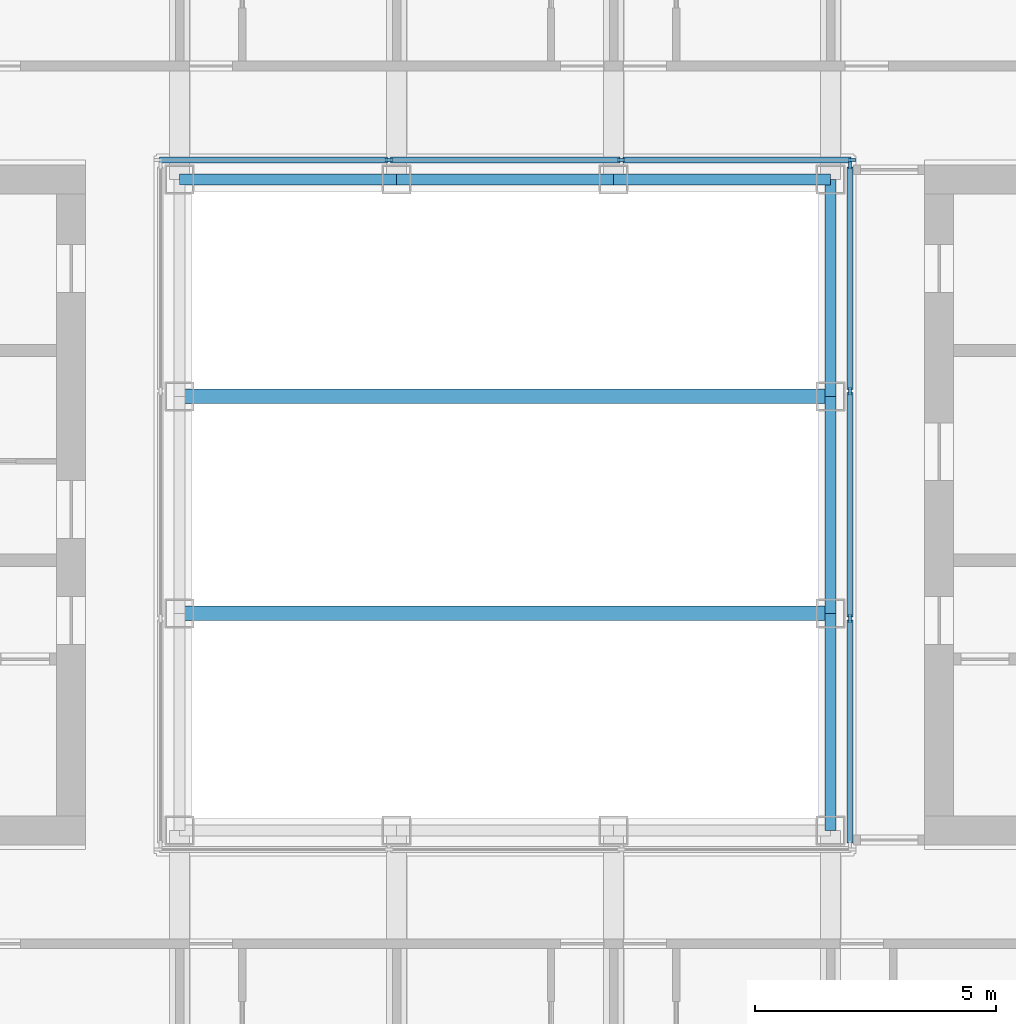
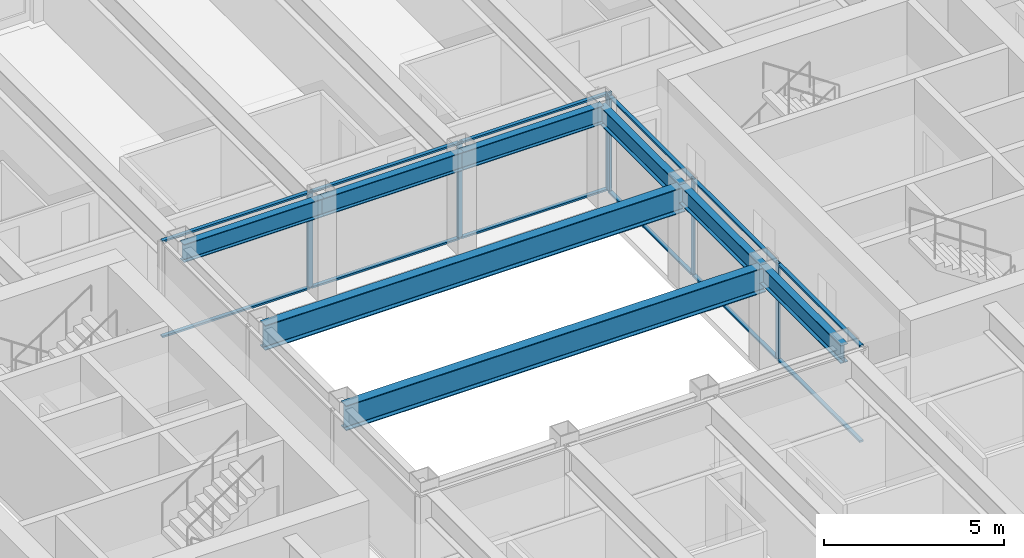
# One storey, part 5 of 18: 18 members, 8 beams, 2 elements without a shape of their own.
"""IFC4 building model written with IfcOpenShell, lengths in metres."""

from ifc_helpers import new_model, si_unit, direction, frame, origin, origin_2d, place, context, subcontext, project, spatial, rectangle, i_section, extrude, material, material_profile, profile_set, type_object, element, aggregate, save


model = new_model("IFC4")

# Units and contexts
model_context = context("Model", 3, precision=1e-05, world=origin(), true_north=direction((0.0, 1.0)))
body_context = subcontext(model_context, "Body", "Model", "MODEL_VIEW")
ifc_project = project(units=[si_unit("LENGTHUNIT", "METRE"), si_unit("AREAUNIT", "SQUARE_METRE"), si_unit("VOLUMEUNIT", "CUBIC_METRE"), si_unit("PLANEANGLEUNIT", "RADIAN"), si_unit("MASSUNIT", "GRAM", prefix="KILO")], contexts=[model_context])

# Site, building, storey
site_placement = place(None, origin())
site = spatial("IfcSite", under=ifc_project, at=site_placement, CompositionType="ELEMENT")
building_placement = place(site_placement, origin())
building = spatial("IfcBuilding", under=site, at=building_placement, Name="Msasa Ring Tower", CompositionType="ELEMENT")
storey_placement = place(building_placement, frame((0.0, 0.0, 186.800048828125)))
storey = spatial("IfcBuildingStorey", under=building, at=storey_placement, Name="L49", CompositionType="ELEMENT", Elevation=186.800048828125)

# Beams
ifc_material_1 = material(Name="Steel S355", Category="steel")
ifc_material_profile_1 = material_profile(ifc_material_1, i_section(OverallWidth=0.293701171875, OverallDepth=0.850830078125, WebThickness=0.01611328125, FlangeThickness=0.02685546875, FilletRadius=0.017822265625, at=origin_2d()), Name="UB 838x292x226")
ifc_profile_set_1 = profile_set([ifc_material_profile_1], Name="Steel S355")
beam_type_1 = type_object("IfcBeamType", Name="BG1 UB 838x292x226", PredefinedType="BEAM", material=ifc_profile_set_1)
for number, where, z_axis, x_axis, name in (
    (1, (-6.75, -2.25, 2.87451171875), (1.0, 0.0, 0.0), (0.0, 1.0, 0.0), "Well bridge girder -2.25 under L50"),
    (2, (-6.75, 2.25, 2.87451171875), (1.0, 0.0, 0.0), (0.0, 1.0, 0.0), "Well bridge girder +2.25 under L50"),
):
    element("IfcBeam", number, at=place(storey_placement, frame(where, z_axis=z_axis, x_axis=x_axis)), inside=storey, type_object=beam_type_1, Name=name, PredefinedType="BEAM", context=body_context, shape_type="SweptSolid", body=[
        extrude(i_section(OverallWidth=0.293701171875, OverallDepth=0.850830078125, WebThickness=0.01611328125, FlangeThickness=0.02685546875, FilletRadius=0.017822265625, at=origin_2d()), origin(), (0.0, 0.0, 1.0), 13.5),
    ])

# Curtain wall, members
ifc_material_2 = material(Name="Aluminium curtain wall with clear glass", Category="aluminium")
curtain_wall_type = type_object("IfcCurtainWallType", Name="CW-W LIGHT WELL CURTAIN WALL", PredefinedType="NOTDEFINED", material=ifc_material_2)
curtain_wall_1_placement = place(storey_placement, origin())
curtain_wall_1 = element("IfcCurtainWall", 3, at=curtain_wall_1_placement, inside=storey, type_object=curtain_wall_type, Name="Light well curtain wall N L49", PredefinedType="NOTDEFINED")
ifc_material_3 = material(Name="Aluminium mullion", Category="aluminium")
ifc_material_profile_2 = material_profile(ifc_material_3, rectangle(XDim=0.06005859375, YDim=0.159912109375, at=origin_2d()), Name="AL 60x160")
ifc_profile_set_2 = profile_set([ifc_material_profile_2], Name="Aluminium mullion")
member_type_1 = type_object("IfcMemberType", Name="CW-W MULLION 60x160", PredefinedType="MULLION", material=ifc_profile_set_2)
member_1_placement = place(storey_placement, frame((-2.409912109375, 7.14990234375, 0.0), z_axis=(0.0, 0.0, 1.0), x_axis=(0.0, 1.0, 0.0)))
member_1 = element("IfcMember", 4, at=member_1_placement, type_object=member_type_1, Name="CW-W mullion 2", PredefinedType="MULLION", context=body_context, shape_type="SweptSolid", body=[
    extrude(rectangle(XDim=0.06005859375, YDim=0.159912109375, at=origin_2d()), origin(), (0.0, 0.0, 1.0), 3.300048828125),
])
member_2_placement = place(storey_placement, frame((2.409912109375, 7.14990234375, 0.0), z_axis=(0.0, 0.0, 1.0), x_axis=(0.0, 1.0, 0.0)))
member_2 = element("IfcMember", 5, at=member_2_placement, type_object=member_type_1, Name="CW-W mullion 3", PredefinedType="MULLION", context=body_context, shape_type="SweptSolid", body=[
    extrude(rectangle(XDim=0.06005859375, YDim=0.159912109375, at=origin_2d()), origin(), (0.0, 0.0, 1.0), 3.300048828125),
])
member_3_placement = place(storey_placement, frame((7.199951171875, 7.14990234375, 0.0), z_axis=(0.0, 0.0, 1.0), x_axis=(0.0, 1.0, 0.0)))
member_3 = element("IfcMember", 6, at=member_3_placement, type_object=member_type_1, Name="CW-W mullion 4", PredefinedType="MULLION", context=body_context, shape_type="SweptSolid", body=[
    extrude(rectangle(XDim=0.06005859375, YDim=0.159912109375, at=origin_2d()), origin(), (0.0, 0.0, 1.0), 3.300048828125),
])

curtain_wall_2_placement = place(storey_placement, origin())
curtain_wall_2 = element("IfcCurtainWall", 7, at=curtain_wall_2_placement, inside=storey, type_object=curtain_wall_type, Name="Light well curtain wall E L49", PredefinedType="NOTDEFINED")
member_4_placement = place(storey_placement, frame((7.14990234375, -2.356689453125, 0.0), z_axis=(0.0, 0.0, 1.0), x_axis=(-1.0, 0.0, 0.0)))
member_4 = element("IfcMember", 8, at=member_4_placement, type_object=member_type_1, Name="CW-W mullion 2", PredefinedType="MULLION", context=body_context, shape_type="SweptSolid", body=[
    extrude(rectangle(XDim=0.06005859375, YDim=0.159912109375, at=origin_2d()), origin(), (0.0, 0.0, 1.0), 3.300048828125),
])
member_5_placement = place(storey_placement, frame((7.14990234375, 2.356689453125, 0.0), z_axis=(0.0, 0.0, 1.0), x_axis=(-1.0, 0.0, 0.0)))
member_5 = element("IfcMember", 9, at=member_5_placement, type_object=member_type_1, Name="CW-W mullion 3", PredefinedType="MULLION", context=body_context, shape_type="SweptSolid", body=[
    extrude(rectangle(XDim=0.06005859375, YDim=0.159912109375, at=origin_2d()), origin(), (0.0, 0.0, 1.0), 3.300048828125),
])
member_6_placement = place(storey_placement, frame((7.14990234375, 7.0400390625, 0.0), z_axis=(0.0, 0.0, 1.0), x_axis=(-1.0, 0.0, 0.0)))
member_6 = element("IfcMember", 10, at=member_6_placement, type_object=member_type_1, Name="CW-W mullion 4", PredefinedType="MULLION", context=body_context, shape_type="SweptSolid", body=[
    extrude(rectangle(XDim=0.06005859375, YDim=0.159912109375, at=origin_2d()), origin(), (0.0, 0.0, 1.0), 3.300048828125),
])

# Member
ifc_material_4 = material(Name="Aluminium transom", Category="aluminium")
ifc_material_profile_3 = material_profile(ifc_material_4, rectangle(XDim=0.1201171875, YDim=0.06005859375, at=origin_2d()), Name="AL 60x120")
ifc_profile_set_3 = profile_set([ifc_material_profile_3], Name="Aluminium transom")
member_type_2 = type_object("IfcMemberType", Name="CW-W TRANSOM 60x120", PredefinedType="USERDEFINED", material=ifc_profile_set_3)
member_7_placement = place(storey_placement, frame((-7.169921875, 7.14990234375, 0.030029296875), z_axis=(1.0, 0.0, 0.0), x_axis=(0.0, 1.0, 0.0)))
member_7 = element("IfcMember", 11, at=member_7_placement, type_object=member_type_2, Name="CW-W transom 1.1", ObjectType="TRANSOM", PredefinedType="USERDEFINED", context=body_context, shape_type="SweptSolid", body=[
    extrude(rectangle(XDim=0.1201171875, YDim=0.06005859375, at=origin_2d()), origin(), (0.0, 0.0, 1.0), 4.72998046875),
])

member_8_placement = place(storey_placement, frame((-7.169921875, 7.14990234375, 3.27001953125), z_axis=(1.0, 0.0, 0.0), x_axis=(0.0, 1.0, 0.0)))
member_8 = element("IfcMember", 12, at=member_8_placement, type_object=member_type_2, Name="CW-W transom 1.2", ObjectType="TRANSOM", PredefinedType="USERDEFINED", context=body_context, shape_type="SweptSolid", body=[
    extrude(rectangle(XDim=0.1201171875, YDim=0.06005859375, at=origin_2d()), origin(), (0.0, 0.0, 1.0), 4.72998046875),
])

member_9_placement = place(storey_placement, frame((-2.3798828125, 7.14990234375, 0.030029296875), z_axis=(1.0, 0.0, 0.0), x_axis=(0.0, 1.0, 0.0)))
member_9 = element("IfcMember", 13, at=member_9_placement, type_object=member_type_2, Name="CW-W transom 2.1", ObjectType="TRANSOM", PredefinedType="USERDEFINED", context=body_context, shape_type="SweptSolid", body=[
    extrude(rectangle(XDim=0.1201171875, YDim=0.06005859375, at=origin_2d()), origin(), (0.0, 0.0, 1.0), 4.759765625),
])

member_10_placement = place(storey_placement, frame((-2.3798828125, 7.14990234375, 3.27001953125), z_axis=(1.0, 0.0, 0.0), x_axis=(0.0, 1.0, 0.0)))
member_10 = element("IfcMember", 14, at=member_10_placement, type_object=member_type_2, Name="CW-W transom 2.2", ObjectType="TRANSOM", PredefinedType="USERDEFINED", context=body_context, shape_type="SweptSolid", body=[
    extrude(rectangle(XDim=0.1201171875, YDim=0.06005859375, at=origin_2d()), origin(), (0.0, 0.0, 1.0), 4.759765625),
])

member_11_placement = place(storey_placement, frame((2.43994140625, 7.14990234375, 0.030029296875), z_axis=(1.0, 0.0, 0.0), x_axis=(0.0, 1.0, 0.0)))
member_11 = element("IfcMember", 15, at=member_11_placement, type_object=member_type_2, Name="CW-W transom 3.1", ObjectType="TRANSOM", PredefinedType="USERDEFINED", context=body_context, shape_type="SweptSolid", body=[
    extrude(rectangle(XDim=0.1201171875, YDim=0.06005859375, at=origin_2d()), origin(), (0.0, 0.0, 1.0), 4.72998046875),
])

member_12_placement = place(storey_placement, frame((2.43994140625, 7.14990234375, 3.27001953125), z_axis=(1.0, 0.0, 0.0), x_axis=(0.0, 1.0, 0.0)))
member_12 = element("IfcMember", 16, at=member_12_placement, type_object=member_type_2, Name="CW-W transom 3.2", ObjectType="TRANSOM", PredefinedType="USERDEFINED", context=body_context, shape_type="SweptSolid", body=[
    extrude(rectangle(XDim=0.1201171875, YDim=0.06005859375, at=origin_2d()), origin(), (0.0, 0.0, 1.0), 4.72998046875),
])

aggregate(curtain_wall_1, [member_1, member_2, member_3, member_7, member_8, member_9, member_10, member_11, member_12])

member_13_placement = place(storey_placement, frame((7.14990234375, -7.010009765625, 0.030029296875), z_axis=(0.0, 1.0, 0.0), x_axis=(-1.0, 0.0, 0.0)))
member_13 = element("IfcMember", 17, at=member_13_placement, type_object=member_type_2, Name="CW-W transom 1.1", ObjectType="TRANSOM", PredefinedType="USERDEFINED", context=body_context, shape_type="SweptSolid", body=[
    extrude(rectangle(XDim=0.1201171875, YDim=0.06005859375, at=origin_2d()), origin(), (0.0, 0.0, 1.0), 4.623291015625),
])

member_14_placement = place(storey_placement, frame((7.14990234375, -7.010009765625, 3.27001953125), z_axis=(0.0, 1.0, 0.0), x_axis=(-1.0, 0.0, 0.0)))
member_14 = element("IfcMember", 18, at=member_14_placement, type_object=member_type_2, Name="CW-W transom 1.2", ObjectType="TRANSOM", PredefinedType="USERDEFINED", context=body_context, shape_type="SweptSolid", body=[
    extrude(rectangle(XDim=0.1201171875, YDim=0.06005859375, at=origin_2d()), origin(), (0.0, 0.0, 1.0), 4.623291015625),
])

member_15_placement = place(storey_placement, frame((7.14990234375, -2.32666015625, 0.030029296875), z_axis=(0.0, 1.0, 0.0), x_axis=(-1.0, 0.0, 0.0)))
member_15 = element("IfcMember", 19, at=member_15_placement, type_object=member_type_2, Name="CW-W transom 2.1", ObjectType="TRANSOM", PredefinedType="USERDEFINED", context=body_context, shape_type="SweptSolid", body=[
    extrude(rectangle(XDim=0.1201171875, YDim=0.06005859375, at=origin_2d()), origin(), (0.0, 0.0, 1.0), 4.6533203125),
])

member_16_placement = place(storey_placement, frame((7.14990234375, -2.32666015625, 3.27001953125), z_axis=(0.0, 1.0, 0.0), x_axis=(-1.0, 0.0, 0.0)))
member_16 = element("IfcMember", 20, at=member_16_placement, type_object=member_type_2, Name="CW-W transom 2.2", ObjectType="TRANSOM", PredefinedType="USERDEFINED", context=body_context, shape_type="SweptSolid", body=[
    extrude(rectangle(XDim=0.1201171875, YDim=0.06005859375, at=origin_2d()), origin(), (0.0, 0.0, 1.0), 4.6533203125),
])

member_17_placement = place(storey_placement, frame((7.14990234375, 2.38671875, 0.030029296875), z_axis=(0.0, 1.0, 0.0), x_axis=(-1.0, 0.0, 0.0)))
member_17 = element("IfcMember", 21, at=member_17_placement, type_object=member_type_2, Name="CW-W transom 3.1", ObjectType="TRANSOM", PredefinedType="USERDEFINED", context=body_context, shape_type="SweptSolid", body=[
    extrude(rectangle(XDim=0.1201171875, YDim=0.06005859375, at=origin_2d()), origin(), (0.0, 0.0, 1.0), 4.623291015625),
])

member_18_placement = place(storey_placement, frame((7.14990234375, 2.38671875, 3.27001953125), z_axis=(0.0, 1.0, 0.0), x_axis=(-1.0, 0.0, 0.0)))
member_18 = element("IfcMember", 22, at=member_18_placement, type_object=member_type_2, Name="CW-W transom 3.2", ObjectType="TRANSOM", PredefinedType="USERDEFINED", context=body_context, shape_type="SweptSolid", body=[
    extrude(rectangle(XDim=0.1201171875, YDim=0.06005859375, at=origin_2d()), origin(), (0.0, 0.0, 1.0), 4.623291015625),
])

aggregate(curtain_wall_2, [member_4, member_5, member_6, member_13, member_14, member_15, member_16, member_17, member_18])

# Beams
ifc_material_5 = material(Name="Steel S355", Category="steel")
ifc_material_profile_4 = material_profile(ifc_material_5, i_section(OverallWidth=0.230224609375, OverallDepth=0.6171875, WebThickness=0.01318359375, FlangeThickness=0.022216796875, FilletRadius=0.0126953125, at=origin_2d()), Name="UB 610x229x140")
ifc_profile_set_4 = profile_set([ifc_material_profile_4], Name="Steel S355")
beam_type_2 = type_object("IfcBeamType", Name="RB1 UB 610x229x140", PredefinedType="BEAM", material=ifc_profile_set_4)
for number, where, z_axis, x_axis, name in (
    (23, (6.75, -6.75, 2.991455078125), (0.0, 1.0, 0.0), (-1.0, 0.0, 0.0), "Inner ring beam IR+6.75-6.75 under L50"),
    (24, (6.75, -2.25, 2.991455078125), (0.0, 1.0, 0.0), (-1.0, 0.0, 0.0), "Inner ring beam IR+6.75-2.25 under L50"),
    (25, (6.75, 2.25, 2.991455078125), (0.0, 1.0, 0.0), (-1.0, 0.0, 0.0), "Inner ring beam IR+6.75+2.25 under L50"),
    (26, (6.75, 6.75, 2.991455078125), (-1.0, 0.0, 0.0), (0.0, -1.0, 0.0), "Inner ring beam IR+6.75+6.75 under L50"),
    (27, (2.25, 6.75, 2.991455078125), (-1.0, 0.0, 0.0), (0.0, -1.0, 0.0), "Inner ring beam IR+2.25+6.75 under L50"),
    (28, (-2.25, 6.75, 2.991455078125), (-1.0, 0.0, 0.0), (0.0, -1.0, 0.0), "Inner ring beam IR-2.25+6.75 under L50"),
):
    element("IfcBeam", number, at=place(storey_placement, frame(where, z_axis=z_axis, x_axis=x_axis)), inside=storey, type_object=beam_type_2, Name=name, PredefinedType="BEAM", context=body_context, shape_type="SweptSolid", body=[
        extrude(i_section(OverallWidth=0.230224609375, OverallDepth=0.6171875, WebThickness=0.01318359375, FlangeThickness=0.022216796875, FilletRadius=0.0126953125, at=origin_2d()), origin(), (0.0, 0.0, 1.0), 4.5),
    ])

save(model, "model.ifc")
